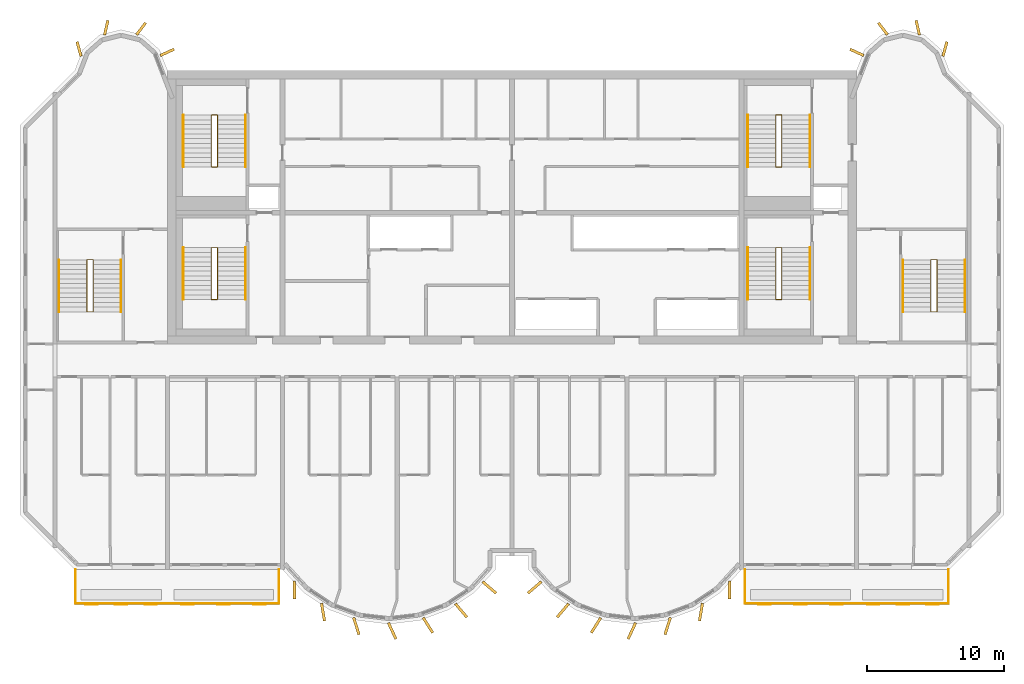
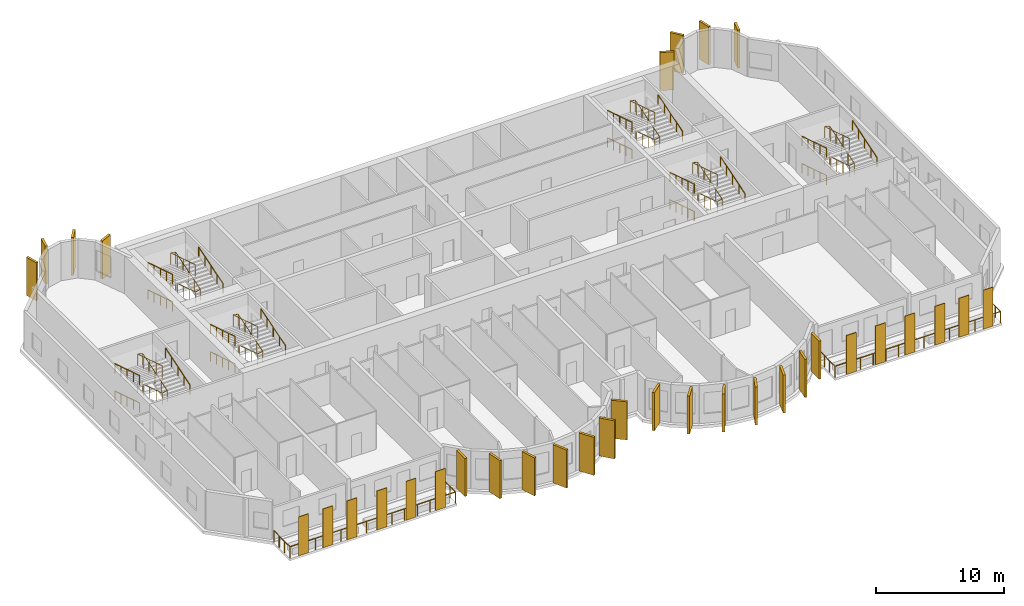
# One storey, part 10 of 11: 34 coverings, 26 railings.
"""IFC4 building model written with IfcOpenShell, lengths in metres."""

from ifc_helpers import new_model, si_unit, direction, frame, origin, origin_2d, place, context, subcontext, project, spatial, rectangle, circle, extrude, source, transform, mapped, material, layer, layer_set, material_profile, profile_set, type_object, element, save


model = new_model("IFC4")

# Units and contexts
model_context = context("Model", 3, precision=1e-05, world=origin(), true_north=direction((0.0, 1.0)))
body_context = subcontext(model_context, "Body", "Model", "MODEL_VIEW")
ifc_project = project(units=[si_unit("LENGTHUNIT", "METRE"), si_unit("AREAUNIT", "SQUARE_METRE"), si_unit("VOLUMEUNIT", "CUBIC_METRE"), si_unit("PLANEANGLEUNIT", "RADIAN"), si_unit("MASSUNIT", "GRAM", prefix="KILO")], contexts=[model_context])

# Site, building, storey
site_placement = place(None, origin())
site = spatial("IfcSite", under=ifc_project, at=site_placement, CompositionType="ELEMENT")
building_placement = place(site_placement, origin())
building = spatial("IfcBuilding", under=site, at=building_placement, Name="Vanashikhar Sky Hotel", CompositionType="ELEMENT")
storey_placement = place(building_placement, frame((0.0, 0.0, 233.5)))
storey = spatial("IfcBuildingStorey", under=building, at=storey_placement, Name="L56", CompositionType="ELEMENT", Elevation=233.5)

# Railings
ifc_material_1 = material(Name="Stainless steel 316", Category="steel")
railing_type_1 = type_object("IfcRailingType", Name="Balcony guard 1100", PredefinedType="GUARDRAIL", material=ifc_material_1)
shared_shape_1 = source(origin(), body_context, "Body", "SweptSolid", [
    extrude(circle(Radius=0.02392578125, at=origin_2d()), frame((0.0, 0.0, 1.076171875), z_axis=(0.0, -1.0, 0.0), x_axis=(1.0, 0.0, 0.0)), (0.0, 0.0, 1.0), 2.5),
    extrude(circle(Radius=0.02392578125, at=origin_2d()), frame((0.0, -2.5, 1.076171875), z_axis=(1.0, 0.0, 0.0), x_axis=(0.0, 1.0, 0.0)), (0.0, 0.0, 1.0), 14.880126953125),
    extrude(circle(Radius=0.02392578125, at=origin_2d()), frame((14.880126953125, -2.5, 1.076171875), z_axis=(0.0, 1.0, 0.0), x_axis=(-1.0, 0.0, 0.0)), (0.0, 0.0, 1.0), 2.5),
    extrude(circle(Radius=0.02099609375, at=origin_2d()), origin(), (0.0, 0.0, 1.0), 1.052001953125),
    extrude(circle(Radius=0.02099609375, at=origin_2d()), frame((0.0, -0.833251953125, 0.0)), (0.0, 0.0, 1.0), 1.052001953125),
    extrude(circle(Radius=0.02099609375, at=origin_2d()), frame((0.0, -1.666748046875, 0.0)), (0.0, 0.0, 1.0), 1.052001953125),
    extrude(circle(Radius=0.02099609375, at=origin_2d()), frame((0.0, -2.5, 0.0)), (0.0, 0.0, 1.0), 1.052001953125),
    extrude(circle(Radius=0.02099609375, at=origin_2d()), frame((1.14453125, -2.5, 0.0)), (0.0, 0.0, 1.0), 1.052001953125),
    extrude(circle(Radius=0.02099609375, at=origin_2d()), frame((2.289306640625, -2.5, 0.0)), (0.0, 0.0, 1.0), 1.052001953125),
    extrude(circle(Radius=0.02099609375, at=origin_2d()), frame((3.433837890625, -2.5, 0.0)), (0.0, 0.0, 1.0), 1.052001953125),
    extrude(circle(Radius=0.02099609375, at=origin_2d()), frame((4.57861328125, -2.5, 0.0)), (0.0, 0.0, 1.0), 1.052001953125),
    extrude(circle(Radius=0.02099609375, at=origin_2d()), frame((5.72314453125, -2.5, 0.0)), (0.0, 0.0, 1.0), 1.052001953125),
    extrude(circle(Radius=0.02099609375, at=origin_2d()), frame((6.86767578125, -2.5, 0.0)), (0.0, 0.0, 1.0), 1.052001953125),
    extrude(circle(Radius=0.02099609375, at=origin_2d()), frame((8.012451171875, -2.5, 0.0)), (0.0, 0.0, 1.0), 1.052001953125),
    extrude(circle(Radius=0.02099609375, at=origin_2d()), frame((9.156982421875, -2.5, 0.0)), (0.0, 0.0, 1.0), 1.052001953125),
    extrude(circle(Radius=0.02099609375, at=origin_2d()), frame((10.301513671875, -2.5, 0.0)), (0.0, 0.0, 1.0), 1.052001953125),
    extrude(circle(Radius=0.02099609375, at=origin_2d()), frame((11.4462890625, -2.5, 0.0)), (0.0, 0.0, 1.0), 1.052001953125),
    extrude(circle(Radius=0.02099609375, at=origin_2d()), frame((12.5908203125, -2.5, 0.0)), (0.0, 0.0, 1.0), 1.052001953125),
    extrude(circle(Radius=0.02099609375, at=origin_2d()), frame((13.735595703125, -2.5, 0.0)), (0.0, 0.0, 1.0), 1.052001953125),
    extrude(circle(Radius=0.02099609375, at=origin_2d()), frame((14.880126953125, -2.5, 0.0)), (0.0, 0.0, 1.0), 1.052001953125),
    extrude(circle(Radius=0.02099609375, at=origin_2d()), frame((14.880126953125, -1.666748046875, 0.0)), (0.0, 0.0, 1.0), 1.052001953125),
    extrude(circle(Radius=0.02099609375, at=origin_2d()), frame((14.880126953125, -0.833251953125, 0.0)), (0.0, 0.0, 1.0), 1.052001953125),
    extrude(circle(Radius=0.02099609375, at=origin_2d()), frame((14.880126953125, 0.0, 0.0)), (0.0, 0.0, 1.0), 1.052001953125),
])
for number, where, name in (
    (1, (18.4599609375, 5.5, -0.050048828125), "Balcony guard"),
    (2, (67.4599609375, 5.5, -0.050048828125), "Balcony guard"),
):
    element("IfcRailing", number, at=place(storey_placement, frame(where)), inside=storey, type_object=railing_type_1, Name=name, PredefinedType="GUARDRAIL", context=body_context, shape_type="MappedRepresentation", body=[
        mapped(shared_shape_1, transform((0.0, 0.0, 0.0), scale=1.0)),
    ])

# Coverings
ifc_material_2 = material(Name="Terracotta", Category="masonry")
ifc_layer = layer(ifc_material_2, 0.06005859375)
ifc_layer_set = layer_set([ifc_layer], Name="Terracotta baguette screen")
covering_type_1 = type_object("IfcCoveringType", Name="Terracotta baguette screen", PredefinedType="CLADDING", material=ifc_layer_set)
shared_shape_2 = source(origin(), body_context, "Body", "SweptSolid", [
    extrude(rectangle(XDim=0.89990234375, YDim=0.06005859375, at=origin_2d()), origin(), (0.0, 0.0, 1.0), 3.699951171875),
])
for number, where, z_axis, x_axis, name in (
    (3, (19.63330078125, 2.929931640625, -0.0498046875), (0.0, 0.0, 1.0), (1.0, 0.0, 0.0), "Terracotta screen"),
    (4, (21.800048828125, 2.929931640625, -0.0498046875), (0.0, 0.0, 1.0), (1.0, 0.0, 0.0), "Terracotta screen"),
    (5, (23.966796875, 2.929931640625, -0.0498046875), (0.0, 0.0, 1.0), (1.0, 0.0, 0.0), "Terracotta screen"),
    (6, (26.666748046875, 2.929931640625, -0.0498046875), (0.0, 0.0, 1.0), (1.0, 0.0, 0.0), "Terracotta screen"),
    (7, (29.300048828125, 2.929931640625, -0.0498046875), (0.0, 0.0, 1.0), (1.0, 0.0, 0.0), "Terracotta screen"),
    (8, (31.933349609375, 2.929931640625, -0.0498046875), (0.0, 0.0, 1.0), (1.0, 0.0, 0.0), "Terracotta screen"),
    (9, (68.86669921875, 2.929931640625, -0.0498046875), (0.0, 0.0, 1.0), (1.0, 0.0, 0.0), "Terracotta screen"),
    (10, (71.5, 2.929931640625, -0.0498046875), (0.0, 0.0, 1.0), (1.0, 0.0, 0.0), "Terracotta screen"),
    (11, (74.13330078125, 2.929931640625, -0.0498046875), (0.0, 0.0, 1.0), (1.0, 0.0, 0.0), "Terracotta screen"),
    (12, (76.833251953125, 2.929931640625, -0.0498046875), (0.0, 0.0, 1.0), (1.0, 0.0, 0.0), "Terracotta screen"),
    (13, (79.0, 2.929931640625, -0.0498046875), (0.0, 0.0, 1.0), (1.0, 0.0, 0.0), "Terracotta screen"),
    (14, (81.166748046875, 2.929931640625, -0.0498046875), (0.0, 0.0, 1.0), (1.0, 0.0, 0.0), "Terracotta screen"),
):
    element("IfcCovering", number, at=place(storey_placement, frame(where, z_axis=z_axis, x_axis=x_axis)), inside=storey, type_object=covering_type_1, Name=name, PredefinedType="CLADDING", context=body_context, shape_type="MappedRepresentation", body=[
        mapped(shared_shape_2, transform((0.0, 0.0, 0.0), scale=1.0)),
    ])
ifc_material_3 = material(Name="Concrete M60 dark", Category="concrete")
ifc_material_profile_1 = material_profile(ifc_material_3, rectangle(XDim=1.300048828125, YDim=0.199951171875, at=origin_2d()))
ifc_profile_set_1 = profile_set([ifc_material_profile_1], Name="Fin 1300 x 200")
covering_type_2 = type_object("IfcCoveringType", Name="Fin 1300 x 200", PredefinedType="CLADDING", material=ifc_profile_set_1)
shared_shape_3 = source(origin(), body_context, "Body", "SweptSolid", [
    extrude(rectangle(XDim=1.300048828125, YDim=0.199951171875, at=origin_2d()), origin(), (0.0, 0.0, 1.0), 3.6201171875),
])
for number, where, z_axis, x_axis, name in (
    (15, (34.482421875, 3.992919921875, 0.0), (0.0, 0.0, 1.0), (0.011588726826, -0.999932848451, 0.0), "Fin F1-1"),
    (16, (36.572509765625, 2.3779296875, 0.0), (0.0, 0.0, 1.0), (0.16989991575, -0.985461322746, 0.0), "Fin F1-2"),
    (17, (39.00830078125, 1.35693359375, 0.0), (0.0, 0.0, 1.0), (0.303966551867, -0.952682704444, 0.0), "Fin F1-3"),
    (18, (41.63232421875, 1.00146484375, 0.0), (0.0, 0.0, 1.0), (0.422618261741, -0.906307787037, 0.0), "Fin F1-4"),
    (19, (44.251953125, 1.416015625, 0.0), (0.0, 0.0, 1.0), (0.534411358496, -0.845224526331, 0.0), "Fin F1-5"),
    (20, (46.676025390625, 2.5, 0.0), (0.0, 0.0, 1.0), (0.645697609467, -0.763593214433, 0.0), "Fin F1-6"),
    (21, (48.7412109375, 4.1845703125, 0.0), (0.0, 0.0, 1.0), (0.758543912032, -0.65162192529, 0.0), "Fin F1-7"),
    (22, (52.058837890625, 4.1845703125, 0.0), (0.0, 0.0, 1.0), (-0.758543912032, -0.65162192529, 0.0), "Fin F2-1"),
    (23, (54.123779296875, 2.5, 0.0), (0.0, 0.0, 1.0), (-0.645697609467, -0.763593214433, 0.0), "Fin F2-2"),
    (24, (56.547119140625, 1.416015625, 0.0), (0.0, 0.0, 1.0), (-0.534411358496, -0.845224526331, 0.0), "Fin F2-3"),
    (25, (59.16748046875, 1.00146484375, 0.0), (0.0, 0.0, 1.0), (-0.422618261741, -0.906307787037, 0.0), "Fin F2-4"),
    (26, (61.790771484375, 1.35693359375, 0.0), (0.0, 0.0, 1.0), (-0.303966551867, -0.952682704444, 0.0), "Fin F2-5"),
    (27, (64.2275390625, 2.3779296875, 0.0), (0.0, 0.0, 1.0), (-0.16989991575, -0.985461322746, 0.0), "Fin F2-6"),
    (28, (66.317626953125, 3.992919921875, 0.0), (0.0, 0.0, 1.0), (-0.011588726826, -0.999932848451, 0.0), "Fin F2-7"),
):
    element("IfcCovering", number, at=place(storey_placement, frame(where, z_axis=z_axis, x_axis=x_axis)), inside=storey, type_object=covering_type_2, Name=name, PredefinedType="CLADDING", context=body_context, shape_type="MappedRepresentation", body=[
        mapped(shared_shape_3, transform((0.0, 0.0, 0.0), scale=1.0)),
    ])
ifc_material_profile_2 = material_profile(ifc_material_3, rectangle(XDim=1.10009765625, YDim=0.199951171875, at=origin_2d()))
ifc_profile_set_2 = profile_set([ifc_material_profile_2], Name="Rear lobe fin 1100 x 200")
covering_type_3 = type_object("IfcCoveringType", Name="Rear lobe fin 1100 x 200", PredefinedType="CLADDING", material=ifc_profile_set_2)
shared_shape_4 = source(origin(), body_context, "Body", "SweptSolid", [
    extrude(rectangle(XDim=1.10009765625, YDim=0.199951171875, at=origin_2d()), origin(), (0.0, 0.0, 1.0), 3.6201171875),
])
for number, where, z_axis, x_axis, name in (
    (29, (18.720703125, 43.580078125, 0.0), (0.0, 0.0, 1.0), (-0.262711264409, 0.964874495234, 0.0), "Fin R1-1"),
    (30, (20.710205078125, 45.1455078125, 0.0), (0.0, 0.0, 1.0), (0.224644935864, 0.974440687159, 0.0), "Fin R1-2"),
    (31, (23.261962890625, 45.06640625, 0.0), (0.0, 0.0, 1.0), (0.602065892195, 0.798446404874, 0.0), "Fin R1-3"),
    (32, (25.169677734375, 43.33447265625, 0.0), (0.0, 0.0, 1.0), (0.908004291068, 0.418960866193, 0.0), "Fin R1-4"),
    (33, (75.63037109375, 43.33447265625, 0.0), (0.0, 0.0, 1.0), (-0.908004291068, 0.418960866193, 0.0), "Fin R2-1"),
    (34, (77.5380859375, 45.06640625, 0.0), (0.0, 0.0, 1.0), (-0.602065892195, 0.798446404874, 0.0), "Fin R2-2"),
    (35, (80.08984375, 45.1455078125, 0.0), (0.0, 0.0, 1.0), (-0.224644935864, 0.974440687159, 0.0), "Fin R2-3"),
    (36, (82.0791015625, 43.580078125, 0.0), (0.0, 0.0, 1.0), (0.262711264409, 0.964874495234, 0.0), "Fin R2-4"),
):
    element("IfcCovering", number, at=place(storey_placement, frame(where, z_axis=z_axis, x_axis=x_axis)), inside=storey, type_object=covering_type_3, Name=name, PredefinedType="CLADDING", context=body_context, shape_type="MappedRepresentation", body=[
        mapped(shared_shape_4, transform((0.0, 0.0, 0.0), scale=1.0)),
    ])

# Railings
ifc_material_4 = material(Name="Steel S355", Category="steel")
railing_type_2 = type_object("IfcRailingType", Name="Stair handrail 900", PredefinedType="HANDRAIL", material=ifc_material_4)
shared_shape_5 = source(origin(), body_context, "Body", "SweptSolid", [
    extrude(circle(Radius=0.02392578125, at=origin_2d()), frame((0.0, 0.0, 0.8759765625), z_axis=(0.0, 0.95418390146, 0.299220791714), x_axis=(-1.0, 0.0, 0.0)), (0.0, 0.0, 1.0), 3.982421875),
    extrude(circle(Radius=0.02099609375, at=origin_2d()), origin(), (0.0, 0.0, 1.0), 0.851806640625),
    extrude(circle(Radius=0.02099609375, at=origin_2d()), frame((0.0, 0.949951171875, 0.2978515625)), (0.0, 0.0, 1.0), 0.851806640625),
    extrude(circle(Radius=0.02099609375, at=origin_2d()), frame((0.0, 1.89990234375, 0.595703125)), (0.0, 0.0, 1.0), 0.851806640625),
    extrude(circle(Radius=0.02099609375, at=origin_2d()), frame((0.0, 2.85009765625, 0.893798828125)), (0.0, 0.0, 1.0), 0.851806640625),
    extrude(circle(Radius=0.02099609375, at=origin_2d()), frame((0.0, 3.800048828125, 1.191650390625)), (0.0, 0.0, 1.0), 0.851806640625),
])
for number, where, name in (
    (37, (30.89990234375, 25.25, 1.408447265625), "Exit stair 1 handrail"),
    (38, (72.199951171875, 25.25, 1.408447265625), "Exit stair 2 handrail"),
    (39, (30.89990234375, 34.949951171875, 1.408447265625), "Exit stair 5 handrail"),
    (40, (72.199951171875, 34.949951171875, 1.408447265625), "Exit stair 6 handrail"),
):
    element("IfcRailing", number, at=place(storey_placement, frame(where)), inside=storey, type_object=railing_type_2, Name=name, PredefinedType="HANDRAIL", context=body_context, shape_type="MappedRepresentation", body=[
        mapped(shared_shape_5, transform((0.0, 0.0, 0.0), scale=1.0)),
    ])
shared_shape_6 = source(origin(), body_context, "Body", "SweptSolid", [
    extrude(circle(Radius=0.02392578125, at=origin_2d()), frame((0.0, 0.0, 0.8759765625), z_axis=(0.0, -0.95418390146, 0.299220791714), x_axis=(1.0, 0.0, 0.0)), (0.0, 0.0, 1.0), 3.982421875),
    extrude(circle(Radius=0.02099609375, at=origin_2d()), origin(), (0.0, 0.0, 1.0), 0.851806640625),
    extrude(circle(Radius=0.02099609375, at=origin_2d()), frame((0.0, -0.949951171875, 0.2978515625)), (0.0, 0.0, 1.0), 0.851806640625),
    extrude(circle(Radius=0.02099609375, at=origin_2d()), frame((0.0, -1.89990234375, 0.595703125)), (0.0, 0.0, 1.0), 0.851806640625),
    extrude(circle(Radius=0.02099609375, at=origin_2d()), frame((0.0, -2.85009765625, 0.893798828125)), (0.0, 0.0, 1.0), 0.851806640625),
    extrude(circle(Radius=0.02099609375, at=origin_2d()), frame((0.0, -3.800048828125, 1.191650390625)), (0.0, 0.0, 1.0), 0.851806640625),
])
for number, where, name in (
    (41, (26.35009765625, 29.050048828125, 0.1083984375), "Exit stair 1 handrail"),
    (42, (26.35009765625, 29.050048828125, 2.708251953125), "Exit stair 1 handrail"),
    (43, (67.64990234375, 29.050048828125, 0.1083984375), "Exit stair 2 handrail"),
    (44, (67.64990234375, 29.050048828125, 2.708251953125), "Exit stair 2 handrail"),
    (45, (26.35009765625, 38.75, 0.1083984375), "Exit stair 5 handrail"),
    (46, (26.35009765625, 38.75, 2.708251953125), "Exit stair 5 handrail"),
    (47, (67.64990234375, 38.75, 0.1083984375), "Exit stair 6 handrail"),
    (48, (67.64990234375, 38.75, 2.708251953125), "Exit stair 6 handrail"),
):
    element("IfcRailing", number, at=place(storey_placement, frame(where)), inside=storey, type_object=railing_type_2, Name=name, PredefinedType="HANDRAIL", context=body_context, shape_type="MappedRepresentation", body=[
        mapped(shared_shape_6, transform((0.0, 0.0, 0.0), scale=1.0)),
    ])
railing_type_3 = type_object("IfcRailingType", Name="Stair guard 1100", PredefinedType="GUARDRAIL", material=ifc_material_4)
shared_shape_7 = source(origin(), body_context, "Body", "SweptSolid", [
    extrude(circle(Radius=0.02392578125, at=origin_2d()), frame((0.0, 0.0, 1.076171875), z_axis=(-0.972214749574, 0.0, 0.234090753151), x_axis=(0.0, -1.0, 0.0)), (0.0, 0.0, 1.0), 0.463134765625),
    extrude(circle(Radius=0.02392578125, at=origin_2d()), frame((-0.4501953125, 0.0, 1.1845703125), z_axis=(0.0, -0.95418390146, 0.299220791714), x_axis=(1.0, 0.0, 0.0)), (0.0, 0.0, 1.0), 3.982421875),
    extrude(circle(Radius=0.02392578125, at=origin_2d()), frame((-0.4501953125, -3.800048828125, 2.3759765625), z_axis=(0.972214749574, 0.0, 0.234090753151), x_axis=(0.0, 1.0, 0.0)), (0.0, 0.0, 1.0), 0.463134765625),
    extrude(circle(Radius=0.02392578125, at=origin_2d()), frame((0.0, -3.800048828125, 2.484375), z_axis=(0.0, 0.95418390146, 0.299220791714), x_axis=(-1.0, 0.0, 0.0)), (0.0, 0.0, 1.0), 3.982421875),
    extrude(circle(Radius=0.02392578125, at=origin_2d()), frame((0.0, 0.0, 3.67626953125), z_axis=(-0.972334627364, 0.0, 0.233592320999), x_axis=(0.0, -1.0, 0.0)), (0.0, 0.0, 1.0), 0.462890625),
    extrude(circle(Radius=0.02392578125, at=origin_2d()), frame((-0.4501953125, 0.0, 3.7841796875), z_axis=(0.0, -0.95418390146, 0.299220791714), x_axis=(1.0, 0.0, 0.0)), (0.0, 0.0, 1.0), 3.982421875),
    extrude(circle(Radius=0.02099609375, at=origin_2d()), origin(), (0.0, 0.0, 1.0), 1.052001953125),
    extrude(circle(Radius=0.02099609375, at=origin_2d()), frame((-0.4501953125, 0.0, 0.1083984375)), (0.0, 0.0, 1.0), 1.052001953125),
    extrude(circle(Radius=0.02099609375, at=origin_2d()), frame((-0.4501953125, -0.949951171875, 0.40625)), (0.0, 0.0, 1.0), 1.052001953125),
    extrude(circle(Radius=0.02099609375, at=origin_2d()), frame((-0.4501953125, -1.89990234375, 0.7041015625)), (0.0, 0.0, 1.0), 1.052001953125),
    extrude(circle(Radius=0.02099609375, at=origin_2d()), frame((-0.4501953125, -2.85009765625, 1.002197265625)), (0.0, 0.0, 1.0), 1.052001953125),
    extrude(circle(Radius=0.02099609375, at=origin_2d()), frame((-0.4501953125, -3.800048828125, 1.300048828125)), (0.0, 0.0, 1.0), 1.052001953125),
    extrude(circle(Radius=0.02099609375, at=origin_2d()), frame((0.0, -3.800048828125, 1.408447265625)), (0.0, 0.0, 1.0), 1.052001953125),
    extrude(circle(Radius=0.02099609375, at=origin_2d()), frame((0.0, -2.85009765625, 1.706298828125)), (0.0, 0.0, 1.0), 1.052001953125),
    extrude(circle(Radius=0.02099609375, at=origin_2d()), frame((0.0, -1.89990234375, 2.00439453125)), (0.0, 0.0, 1.0), 1.052001953125),
    extrude(circle(Radius=0.02099609375, at=origin_2d()), frame((0.0, -0.949951171875, 2.30224609375)), (0.0, 0.0, 1.0), 1.052001953125),
    extrude(circle(Radius=0.02099609375, at=origin_2d()), frame((0.0, 0.0, 2.60009765625)), (0.0, 0.0, 1.0), 1.052001953125),
    extrude(circle(Radius=0.02099609375, at=origin_2d()), frame((-0.4501953125, 0.0, 2.708251953125)), (0.0, 0.0, 1.0), 1.052001953125),
    extrude(circle(Radius=0.02099609375, at=origin_2d()), frame((-0.4501953125, -0.949951171875, 3.006103515625)), (0.0, 0.0, 1.0), 1.052001953125),
    extrude(circle(Radius=0.02099609375, at=origin_2d()), frame((-0.4501953125, -1.89990234375, 3.30419921875)), (0.0, 0.0, 1.0), 1.052001953125),
    extrude(circle(Radius=0.02099609375, at=origin_2d()), frame((-0.4501953125, -2.85009765625, 3.60205078125)), (0.0, 0.0, 1.0), 1.052001953125),
    extrude(circle(Radius=0.02099609375, at=origin_2d()), frame((-0.4501953125, -3.800048828125, 3.89990234375)), (0.0, 0.0, 1.0), 1.052001953125),
])
for number, where, name in (
    (49, (28.85009765625, 29.050048828125, 0.0), "Exit stair 1 guard"),
    (50, (28.85009765625, 38.75, 0.0), "Exit stair 5 guard"),
):
    element("IfcRailing", number, at=place(storey_placement, frame(where)), inside=storey, type_object=railing_type_3, Name=name, PredefinedType="GUARDRAIL", context=body_context, shape_type="MappedRepresentation", body=[
        mapped(shared_shape_7, transform((0.0, 0.0, 0.0), scale=1.0)),
    ])
shared_shape_8 = source(origin(), body_context, "Body", "SweptSolid", [
    extrude(circle(Radius=0.02392578125, at=origin_2d()), frame((0.0, 0.0, 1.076171875), z_axis=(-0.972185835864, 0.0, 0.234210803648), x_axis=(0.0, -1.0, 0.0)), (0.0, 0.0, 1.0), 0.462890625),
    extrude(circle(Radius=0.02392578125, at=origin_2d()), frame((-0.449951171875, 0.0, 1.1845703125), z_axis=(0.0, -0.95418390146, 0.299220791714), x_axis=(1.0, 0.0, 0.0)), (0.0, 0.0, 1.0), 3.982421875),
    extrude(circle(Radius=0.02392578125, at=origin_2d()), frame((-0.449951171875, -3.800048828125, 2.3759765625), z_axis=(0.972185835864, 0.0, 0.234210803648), x_axis=(0.0, 1.0, 0.0)), (0.0, 0.0, 1.0), 0.462890625),
    extrude(circle(Radius=0.02392578125, at=origin_2d()), frame((0.0, -3.800048828125, 2.484375), z_axis=(0.0, 0.95418390146, 0.299220791714), x_axis=(-1.0, 0.0, 0.0)), (0.0, 0.0, 1.0), 3.982421875),
    extrude(circle(Radius=0.02392578125, at=origin_2d()), frame((0.0, 0.0, 3.67626953125), z_axis=(-0.972305833095, 0.0, 0.233712145448), x_axis=(0.0, -1.0, 0.0)), (0.0, 0.0, 1.0), 0.462646484375),
    extrude(circle(Radius=0.02392578125, at=origin_2d()), frame((-0.449951171875, 0.0, 3.7841796875), z_axis=(0.0, -0.95418390146, 0.299220791714), x_axis=(1.0, 0.0, 0.0)), (0.0, 0.0, 1.0), 3.982421875),
    extrude(circle(Radius=0.02099609375, at=origin_2d()), origin(), (0.0, 0.0, 1.0), 1.052001953125),
    extrude(circle(Radius=0.02099609375, at=origin_2d()), frame((-0.449951171875, 0.0, 0.1083984375)), (0.0, 0.0, 1.0), 1.052001953125),
    extrude(circle(Radius=0.02099609375, at=origin_2d()), frame((-0.449951171875, -0.949951171875, 0.40625)), (0.0, 0.0, 1.0), 1.052001953125),
    extrude(circle(Radius=0.02099609375, at=origin_2d()), frame((-0.449951171875, -1.89990234375, 0.7041015625)), (0.0, 0.0, 1.0), 1.052001953125),
    extrude(circle(Radius=0.02099609375, at=origin_2d()), frame((-0.449951171875, -2.85009765625, 1.002197265625)), (0.0, 0.0, 1.0), 1.052001953125),
    extrude(circle(Radius=0.02099609375, at=origin_2d()), frame((-0.449951171875, -3.800048828125, 1.300048828125)), (0.0, 0.0, 1.0), 1.052001953125),
    extrude(circle(Radius=0.02099609375, at=origin_2d()), frame((0.0, -3.800048828125, 1.408447265625)), (0.0, 0.0, 1.0), 1.052001953125),
    extrude(circle(Radius=0.02099609375, at=origin_2d()), frame((0.0, -2.85009765625, 1.706298828125)), (0.0, 0.0, 1.0), 1.052001953125),
    extrude(circle(Radius=0.02099609375, at=origin_2d()), frame((0.0, -1.89990234375, 2.00439453125)), (0.0, 0.0, 1.0), 1.052001953125),
    extrude(circle(Radius=0.02099609375, at=origin_2d()), frame((0.0, -0.949951171875, 2.30224609375)), (0.0, 0.0, 1.0), 1.052001953125),
    extrude(circle(Radius=0.02099609375, at=origin_2d()), frame((0.0, 0.0, 2.60009765625)), (0.0, 0.0, 1.0), 1.052001953125),
    extrude(circle(Radius=0.02099609375, at=origin_2d()), frame((-0.449951171875, 0.0, 2.708251953125)), (0.0, 0.0, 1.0), 1.052001953125),
    extrude(circle(Radius=0.02099609375, at=origin_2d()), frame((-0.449951171875, -0.949951171875, 3.006103515625)), (0.0, 0.0, 1.0), 1.052001953125),
    extrude(circle(Radius=0.02099609375, at=origin_2d()), frame((-0.449951171875, -1.89990234375, 3.30419921875)), (0.0, 0.0, 1.0), 1.052001953125),
    extrude(circle(Radius=0.02099609375, at=origin_2d()), frame((-0.449951171875, -2.85009765625, 3.60205078125)), (0.0, 0.0, 1.0), 1.052001953125),
    extrude(circle(Radius=0.02099609375, at=origin_2d()), frame((-0.449951171875, -3.800048828125, 3.89990234375)), (0.0, 0.0, 1.0), 1.052001953125),
])
for number, where, name in (
    (51, (70.14990234375, 29.050048828125, 0.0), "Exit stair 2 guard"),
    (52, (70.14990234375, 38.75, 0.0), "Exit stair 6 guard"),
):
    element("IfcRailing", number, at=place(storey_placement, frame(where)), inside=storey, type_object=railing_type_3, Name=name, PredefinedType="GUARDRAIL", context=body_context, shape_type="MappedRepresentation", body=[
        mapped(shared_shape_8, transform((0.0, 0.0, 0.0), scale=1.0)),
    ])
shared_shape_9 = source(origin(), body_context, "Body", "SweptSolid", [
    extrude(circle(Radius=0.02392578125, at=origin_2d()), frame((0.0, 0.0, 0.8759765625), z_axis=(0.0, 0.954178412317, 0.299238295459), x_axis=(-1.0, 0.0, 0.0)), (0.0, 0.0, 1.0), 3.982177734375),
    extrude(circle(Radius=0.02099609375, at=origin_2d()), origin(), (0.0, 0.0, 1.0), 0.851806640625),
    extrude(circle(Radius=0.02099609375, at=origin_2d()), frame((0.0, 0.949951171875, 0.2978515625)), (0.0, 0.0, 1.0), 0.851806640625),
    extrude(circle(Radius=0.02099609375, at=origin_2d()), frame((0.0, 1.89990234375, 0.595703125)), (0.0, 0.0, 1.0), 0.851806640625),
    extrude(circle(Radius=0.02099609375, at=origin_2d()), frame((0.0, 2.849853515625, 0.893798828125)), (0.0, 0.0, 1.0), 0.851806640625),
    extrude(circle(Radius=0.02099609375, at=origin_2d()), frame((0.0, 3.7998046875, 1.191650390625)), (0.0, 0.0, 1.0), 0.851806640625),
])
for number, where, name in (
    (53, (21.800048828125, 24.35009765625, 1.408447265625), "Exit stair 3 handrail"),
    (54, (83.550048828125, 24.35009765625, 1.408447265625), "Exit stair 4 handrail"),
):
    element("IfcRailing", number, at=place(storey_placement, frame(where)), inside=storey, type_object=railing_type_2, Name=name, PredefinedType="HANDRAIL", context=body_context, shape_type="MappedRepresentation", body=[
        mapped(shared_shape_9, transform((0.0, 0.0, 0.0), scale=1.0)),
    ])
shared_shape_10 = source(origin(), body_context, "Body", "SweptSolid", [
    extrude(circle(Radius=0.02392578125, at=origin_2d()), frame((0.0, 0.0, 0.8759765625), z_axis=(0.0, -0.954178412317, 0.299238295459), x_axis=(1.0, 0.0, 0.0)), (0.0, 0.0, 1.0), 3.982177734375),
    extrude(circle(Radius=0.02099609375, at=origin_2d()), origin(), (0.0, 0.0, 1.0), 0.851806640625),
    extrude(circle(Radius=0.02099609375, at=origin_2d()), frame((0.0, -0.949951171875, 0.2978515625)), (0.0, 0.0, 1.0), 0.851806640625),
    extrude(circle(Radius=0.02099609375, at=origin_2d()), frame((0.0, -1.89990234375, 0.595703125)), (0.0, 0.0, 1.0), 0.851806640625),
    extrude(circle(Radius=0.02099609375, at=origin_2d()), frame((0.0, -2.849853515625, 0.893798828125)), (0.0, 0.0, 1.0), 0.851806640625),
    extrude(circle(Radius=0.02099609375, at=origin_2d()), frame((0.0, -3.7998046875, 1.191650390625)), (0.0, 0.0, 1.0), 0.851806640625),
])
for number, where, name in (
    (55, (17.25, 28.14990234375, 0.1083984375), "Exit stair 3 handrail"),
    (56, (17.25, 28.14990234375, 2.708251953125), "Exit stair 3 handrail"),
    (57, (79.0, 28.14990234375, 0.1083984375), "Exit stair 4 handrail"),
    (58, (79.0, 28.14990234375, 2.708251953125), "Exit stair 4 handrail"),
):
    element("IfcRailing", number, at=place(storey_placement, frame(where)), inside=storey, type_object=railing_type_2, Name=name, PredefinedType="HANDRAIL", context=body_context, shape_type="MappedRepresentation", body=[
        mapped(shared_shape_10, transform((0.0, 0.0, 0.0), scale=1.0)),
    ])
shared_shape_11 = source(origin(), body_context, "Body", "SweptSolid", [
    extrude(circle(Radius=0.02392578125, at=origin_2d()), frame((0.0, 0.0, 1.076171875), z_axis=(-0.972185835864, 0.0, 0.234210803648), x_axis=(0.0, -1.0, 0.0)), (0.0, 0.0, 1.0), 0.462890625),
    extrude(circle(Radius=0.02392578125, at=origin_2d()), frame((-0.449951171875, 0.0, 1.1845703125), z_axis=(0.0, -0.954178412317, 0.299238295459), x_axis=(1.0, 0.0, 0.0)), (0.0, 0.0, 1.0), 3.982177734375),
    extrude(circle(Radius=0.02392578125, at=origin_2d()), frame((-0.449951171875, -3.7998046875, 2.3759765625), z_axis=(0.972185835864, 0.0, 0.234210803648), x_axis=(0.0, 1.0, 0.0)), (0.0, 0.0, 1.0), 0.462890625),
    extrude(circle(Radius=0.02392578125, at=origin_2d()), frame((0.0, -3.7998046875, 2.484375), z_axis=(0.0, 0.954178412317, 0.299238295459), x_axis=(-1.0, 0.0, 0.0)), (0.0, 0.0, 1.0), 3.982177734375),
    extrude(circle(Radius=0.02392578125, at=origin_2d()), frame((0.0, 0.0, 3.67626953125), z_axis=(-0.972305833095, 0.0, 0.233712145448), x_axis=(0.0, -1.0, 0.0)), (0.0, 0.0, 1.0), 0.462646484375),
    extrude(circle(Radius=0.02392578125, at=origin_2d()), frame((-0.449951171875, 0.0, 3.7841796875), z_axis=(0.0, -0.954178412317, 0.299238295459), x_axis=(1.0, 0.0, 0.0)), (0.0, 0.0, 1.0), 3.982177734375),
    extrude(circle(Radius=0.02099609375, at=origin_2d()), origin(), (0.0, 0.0, 1.0), 1.052001953125),
    extrude(circle(Radius=0.02099609375, at=origin_2d()), frame((-0.449951171875, 0.0, 0.1083984375)), (0.0, 0.0, 1.0), 1.052001953125),
    extrude(circle(Radius=0.02099609375, at=origin_2d()), frame((-0.449951171875, -0.949951171875, 0.40625)), (0.0, 0.0, 1.0), 1.052001953125),
    extrude(circle(Radius=0.02099609375, at=origin_2d()), frame((-0.449951171875, -1.89990234375, 0.7041015625)), (0.0, 0.0, 1.0), 1.052001953125),
    extrude(circle(Radius=0.02099609375, at=origin_2d()), frame((-0.449951171875, -2.849853515625, 1.002197265625)), (0.0, 0.0, 1.0), 1.052001953125),
    extrude(circle(Radius=0.02099609375, at=origin_2d()), frame((-0.449951171875, -3.7998046875, 1.300048828125)), (0.0, 0.0, 1.0), 1.052001953125),
    extrude(circle(Radius=0.02099609375, at=origin_2d()), frame((0.0, -3.7998046875, 1.408447265625)), (0.0, 0.0, 1.0), 1.052001953125),
    extrude(circle(Radius=0.02099609375, at=origin_2d()), frame((0.0, -2.849853515625, 1.706298828125)), (0.0, 0.0, 1.0), 1.052001953125),
    extrude(circle(Radius=0.02099609375, at=origin_2d()), frame((0.0, -1.89990234375, 2.00439453125)), (0.0, 0.0, 1.0), 1.052001953125),
    extrude(circle(Radius=0.02099609375, at=origin_2d()), frame((0.0, -0.949951171875, 2.30224609375)), (0.0, 0.0, 1.0), 1.052001953125),
    extrude(circle(Radius=0.02099609375, at=origin_2d()), frame((0.0, 0.0, 2.60009765625)), (0.0, 0.0, 1.0), 1.052001953125),
    extrude(circle(Radius=0.02099609375, at=origin_2d()), frame((-0.449951171875, 0.0, 2.708251953125)), (0.0, 0.0, 1.0), 1.052001953125),
    extrude(circle(Radius=0.02099609375, at=origin_2d()), frame((-0.449951171875, -0.949951171875, 3.006103515625)), (0.0, 0.0, 1.0), 1.052001953125),
    extrude(circle(Radius=0.02099609375, at=origin_2d()), frame((-0.449951171875, -1.89990234375, 3.30419921875)), (0.0, 0.0, 1.0), 1.052001953125),
    extrude(circle(Radius=0.02099609375, at=origin_2d()), frame((-0.449951171875, -2.849853515625, 3.60205078125)), (0.0, 0.0, 1.0), 1.052001953125),
    extrude(circle(Radius=0.02099609375, at=origin_2d()), frame((-0.449951171875, -3.7998046875, 3.89990234375)), (0.0, 0.0, 1.0), 1.052001953125),
])
for number, where, name in (
    (59, (19.75, 28.14990234375, 0.0), "Exit stair 3 guard"),
    (60, (81.5, 28.14990234375, 0.0), "Exit stair 4 guard"),
):
    element("IfcRailing", number, at=place(storey_placement, frame(where)), inside=storey, type_object=railing_type_3, Name=name, PredefinedType="GUARDRAIL", context=body_context, shape_type="MappedRepresentation", body=[
        mapped(shared_shape_11, transform((0.0, 0.0, 0.0), scale=1.0)),
    ])

save(model, "model.ifc")
